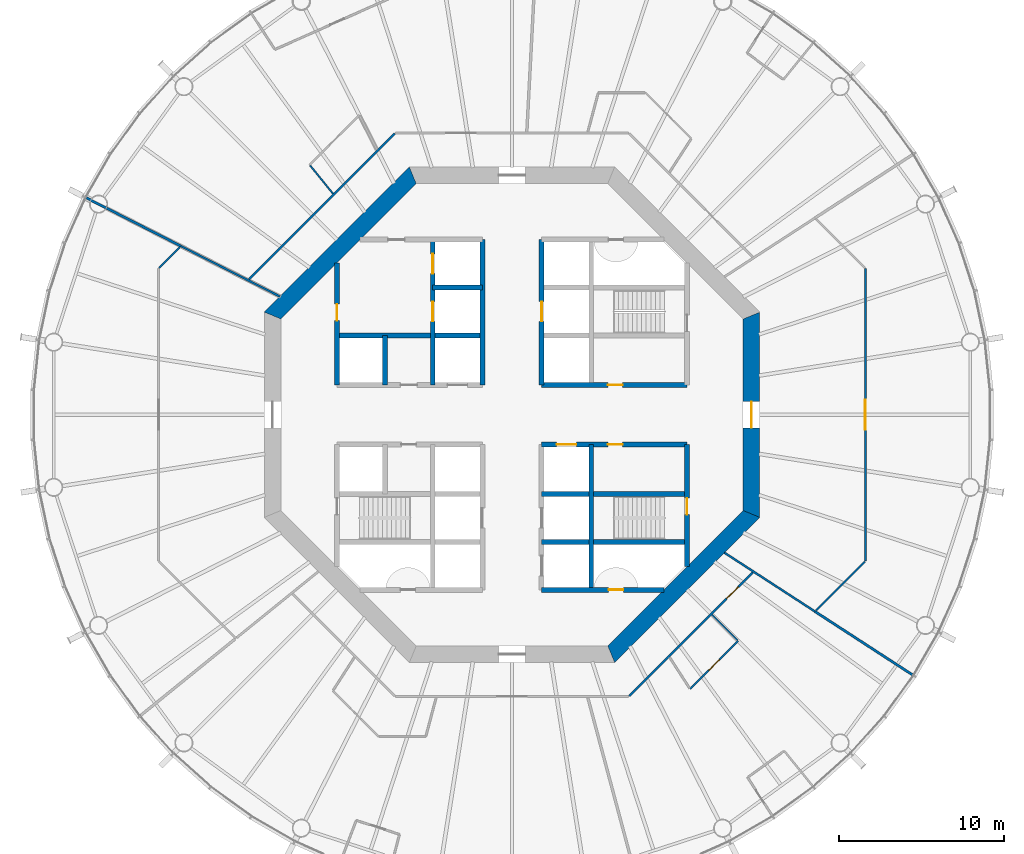
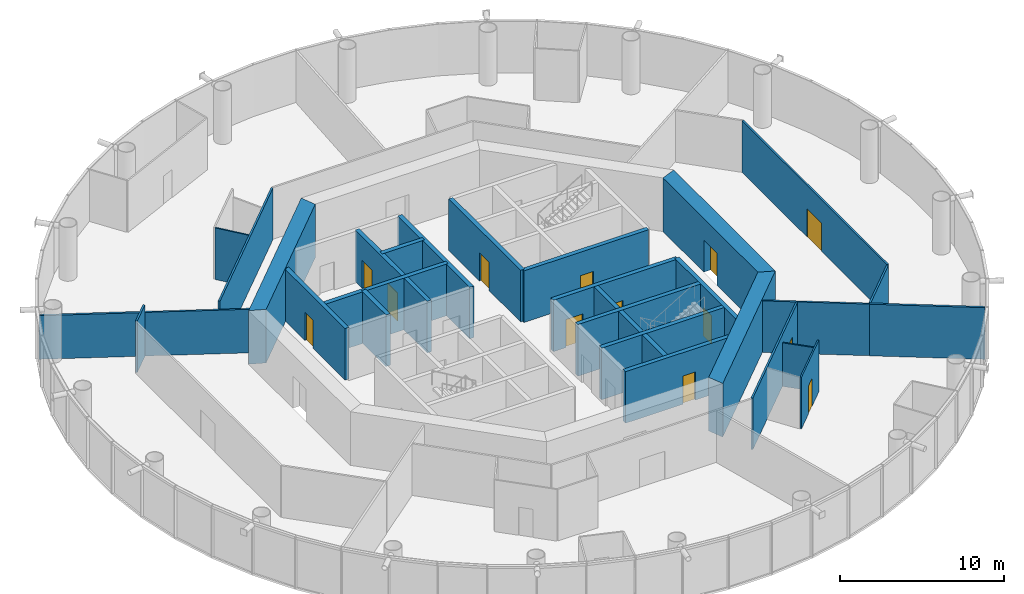
# One storey, part 4 of 17: 29 walls, 13 doors, 13 openings.
"""IFC4 building model written with IfcOpenShell, lengths in metres."""

from ifc_helpers import new_model, si_unit, direction, frame, frame_2d, origin, place, context, subcontext, project, spatial, polyline, rectangle, outline, extrude, material, layer, layer_set, type_object, element, fill, save


model = new_model("IFC4")

# Units and contexts
model_context = context("Model", 3, precision=1e-05, world=origin(), true_north=direction((0.0, 1.0)))
body_context = subcontext(model_context, "Body", "Model", "MODEL_VIEW")
ifc_project = project(units=[si_unit("LENGTHUNIT", "METRE"), si_unit("AREAUNIT", "SQUARE_METRE"), si_unit("VOLUMEUNIT", "CUBIC_METRE"), si_unit("PLANEANGLEUNIT", "RADIAN"), si_unit("MASSUNIT", "GRAM", prefix="KILO")], contexts=[model_context])

# Site, building, storey
site_placement = place(None, origin())
site = spatial("IfcSite", under=ifc_project, at=site_placement, CompositionType="ELEMENT")
building_placement = place(site_placement, origin())
building = spatial("IfcBuilding", under=site, at=building_placement, Name="Entoto Ring Tower", CompositionType="ELEMENT")
storey_placement = place(building_placement, frame((0.0, 0.0, 176.0)))
storey = spatial("IfcBuildingStorey", under=building, at=storey_placement, Name="L40", CompositionType="ELEMENT", Elevation=176.0)

# Wall, opening, door
ifc_material_1 = material(Name="Concrete C40/50", Category="concrete")
ifc_layer_1 = layer(ifc_material_1, 0.300048828125)
ifc_layer_set_1 = layer_set([ifc_layer_1], Name="Concrete C40/50")
wall_type_1 = type_object("IfcWallType", Name="Core enclosure wall 300 mm reinforced concrete", PredefinedType="SOLIDWALL", material=ifc_layer_set_1)
wall_1_placement = place(storey_placement, frame((100.60009765625, 70.801025390625, 0.0), z_axis=(0.0, 0.0, 1.0), x_axis=(0.0, 1.0, 0.0)))
wall_1 = element("IfcWall", 1, at=wall_1_placement, inside=storey, type_object=wall_type_1, Name="wall-L40-001", PredefinedType="SOLIDWALL", context=body_context, shape_type="SweptSolid", body=[
    extrude(rectangle(XDim=7.39892578125, YDim=0.300048828125, at=frame_2d((3.699462890625, 0.0))), origin(), (0.0, 0.0, 1.0), 3.85009765625),
])
opening_1_placement = place(wall_1_placement, frame((3.14892578125, 0.0, 0.0)))
opening_1 = element("IfcOpeningElement", 2, at=opening_1_placement, cuts=wall_1, Name="Opening K-17", PredefinedType="OPENING", context=body_context, shape_type="SweptSolid", body=[
    extrude(rectangle(XDim=1.0, YDim=2.10009765625, at=frame_2d((0.5, 1.050048828125))), frame((0.0, 0.16015625, 0.0), z_axis=(0.0, -1.0, 0.0), x_axis=(1.0, 0.0, 0.0)), (0.0, 0.0, 1.0), 0.320068359375),
])
ifc_material_2 = material(Name="Steel door leaf, fire rated", Category="steel")
ifc_layer_2 = layer(ifc_material_2, 0.050048828125)
ifc_layer_set_2 = layer_set([ifc_layer_2], Name="Steel door leaf, fire rated")
door_type_1 = type_object("IfcDoorType", Name="Fire door FD60 1000 x 2100 single leaf", OperationType="NOTDEFINED", PredefinedType="DOOR", material=ifc_layer_set_2)
door_1_placement = place(opening_1_placement, origin())
door_1 = element("IfcDoor", 3, at=door_1_placement, inside=storey, type_object=door_type_1, Name="Door K-17", OperationType="SINGLE_SWING_RIGHT", OverallHeight=2.10009765625, OverallWidth=1.0, PredefinedType="DOOR", context=body_context, shape_type="SweptSolid", body=[
    extrude(rectangle(XDim=1.0, YDim=2.10009765625, at=frame_2d((0.5, 1.050048828125))), frame((0.0, 0.02490234375, 0.0), z_axis=(0.0, -1.0, 0.0), x_axis=(1.0, 0.0, 0.0)), (0.0, 0.0, 1.0), 0.050048828125),
])
fill(opening_1, door_1)

# Wall
wall_2_placement = place(storey_placement, frame((94.800048828125, 69.39990234375, 0.0), z_axis=(0.0, 0.0, 1.0), x_axis=(0.0, 1.0, 0.0)))
element("IfcWall", 4, at=wall_2_placement, inside=storey, type_object=wall_type_1, Name="wall-L40-003", PredefinedType="SOLIDWALL", context=body_context, shape_type="SweptSolid", body=[
    extrude(rectangle(XDim=8.800048828125, YDim=0.300048828125, at=frame_2d((4.39990234375, 0.0))), origin(), (0.0, 0.0, 1.0), 3.85009765625),
])

# Wall, opening, door
wall_3_placement = place(storey_placement, frame((91.800048828125, 81.800048828125, 0.0), z_axis=(0.0, 0.0, 1.0), x_axis=(0.0, 1.0, 0.0)))
wall_3 = element("IfcWall", 5, at=wall_3_placement, inside=storey, type_object=wall_type_1, Name="wall-L40-006", PredefinedType="SOLIDWALL", context=body_context, shape_type="SweptSolid", body=[
    extrude(rectangle(XDim=8.800048828125, YDim=0.300048828125, at=frame_2d((4.39990234375, 0.0))), origin(), (0.0, 0.0, 1.0), 3.85009765625),
])
opening_2_placement = place(wall_3_placement, frame((3.85009765625, 0.0, 0.0)))
opening_2 = element("IfcOpeningElement", 6, at=opening_2_placement, cuts=wall_3, Name="Opening LD", PredefinedType="OPENING", context=body_context, shape_type="SweptSolid", body=[
    extrude(rectangle(XDim=1.199951171875, YDim=2.10009765625, at=frame_2d((0.60009765625, 1.050048828125))), frame((0.0, 0.16015625, 0.0), z_axis=(0.0, -1.0, 0.0), x_axis=(1.0, 0.0, 0.0)), (0.0, 0.0, 1.0), 0.320068359375),
])
ifc_material_3 = material(Name="Steel and glass door leaf", Category="steel")
ifc_layer_3 = layer(ifc_material_3, 0.050048828125)
ifc_layer_set_3 = layer_set([ifc_layer_3], Name="Steel and glass door leaf")
door_type_2 = type_object("IfcDoorType", Name="Landing door 1200 x 2100 sliding", OperationType="DOUBLE_DOOR_SLIDING", PredefinedType="DOOR", material=ifc_layer_set_3)
door_2_placement = place(opening_2_placement, origin())
door_2 = element("IfcDoor", 7, at=door_2_placement, inside=storey, type_object=door_type_2, Name="Landing door LB1-MR", OperationType="SLIDING_TO_RIGHT", OverallHeight=2.10009765625, OverallWidth=1.199951171875, PredefinedType="DOOR", context=body_context, shape_type="SweptSolid", body=[
    extrude(rectangle(XDim=1.199951171875, YDim=2.10009765625, at=frame_2d((0.60009765625, 1.050048828125))), frame((0.0, 0.02490234375, 0.0), z_axis=(0.0, -1.0, 0.0), x_axis=(1.0, 0.0, 0.0)), (0.0, 0.0, 1.0), 0.050048828125),
])
fill(opening_2, door_2)

# Wall
wall_4_placement = place(storey_placement, frame((88.199951171875, 81.800048828125, 0.0), z_axis=(0.0, 0.0, 1.0), x_axis=(0.0, 1.0, 0.0)))
element("IfcWall", 8, at=wall_4_placement, inside=storey, type_object=wall_type_1, Name="wall-L40-008", PredefinedType="SOLIDWALL", context=body_context, shape_type="SweptSolid", body=[
    extrude(rectangle(XDim=8.800048828125, YDim=0.300048828125, at=frame_2d((4.39990234375, 0.0))), origin(), (0.0, 0.0, 1.0), 3.85009765625),
])

# Wall, openings, doors
wall_5_placement = place(storey_placement, frame((85.199951171875, 81.800048828125, 0.0), z_axis=(0.0, 0.0, 1.0), x_axis=(0.0, 1.0, 0.0)))
wall_5 = element("IfcWall", 9, at=wall_5_placement, inside=storey, type_object=wall_type_1, Name="wall-L40-010", PredefinedType="SOLIDWALL", context=body_context, shape_type="SweptSolid", body=[
    extrude(rectangle(XDim=8.800048828125, YDim=0.300048828125, at=frame_2d((4.39990234375, 0.0))), origin(), (0.0, 0.0, 1.0), 3.85009765625),
])
opening_3_placement = place(wall_5_placement, frame((3.85009765625, 0.0, 0.0)))
opening_3 = element("IfcOpeningElement", 10, at=opening_3_placement, cuts=wall_5, Name="Opening LD", PredefinedType="OPENING", context=body_context, shape_type="SweptSolid", body=[
    extrude(rectangle(XDim=1.199951171875, YDim=2.10009765625, at=frame_2d((0.60009765625, 1.050048828125))), frame((0.0, 0.16015625, 0.0), z_axis=(0.0, -1.0, 0.0), x_axis=(1.0, 0.0, 0.0)), (0.0, 0.0, 1.0), 0.320068359375),
])
opening_4_placement = place(wall_5_placement, frame((6.75, 0.0, 0.0)))
opening_4 = element("IfcOpeningElement", 11, at=opening_4_placement, cuts=wall_5, Name="Opening LD", PredefinedType="OPENING", context=body_context, shape_type="SweptSolid", body=[
    extrude(rectangle(XDim=1.199951171875, YDim=2.10009765625, at=frame_2d((0.60009765625, 1.050048828125))), frame((0.0, 0.16015625, 0.0), z_axis=(0.0, -1.0, 0.0), x_axis=(1.0, 0.0, 0.0)), (0.0, 0.0, 1.0), 0.320068359375),
])
door_3_placement = place(opening_3_placement, origin())
door_3 = element("IfcDoor", 12, at=door_3_placement, inside=storey, type_object=door_type_2, Name="Landing door FF1", OperationType="SLIDING_TO_RIGHT", OverallHeight=2.10009765625, OverallWidth=1.199951171875, PredefinedType="DOOR", context=body_context, shape_type="SweptSolid", body=[
    extrude(rectangle(XDim=1.199951171875, YDim=2.10009765625, at=frame_2d((0.60009765625, 1.050048828125))), frame((0.0, 0.02490234375, 0.0), z_axis=(0.0, -1.0, 0.0), x_axis=(1.0, 0.0, 0.0)), (0.0, 0.0, 1.0), 0.050048828125),
])
fill(opening_3, door_3)
door_4_placement = place(opening_4_placement, origin())
door_4 = element("IfcDoor", 13, at=door_4_placement, inside=storey, type_object=door_type_2, Name="Landing door FF2", OperationType="SLIDING_TO_RIGHT", OverallHeight=2.10009765625, OverallWidth=1.199951171875, PredefinedType="DOOR", context=body_context, shape_type="SweptSolid", body=[
    extrude(rectangle(XDim=1.199951171875, YDim=2.10009765625, at=frame_2d((0.60009765625, 1.050048828125))), frame((0.0, 0.02490234375, 0.0), z_axis=(0.0, -1.0, 0.0), x_axis=(1.0, 0.0, 0.0)), (0.0, 0.0, 1.0), 0.050048828125),
])
fill(opening_4, door_4)

# Wall
wall_6_placement = place(storey_placement, frame((82.300048828125, 81.800048828125, 0.0), z_axis=(0.0, 0.0, 1.0), x_axis=(0.0, 1.0, 0.0)))
element("IfcWall", 14, at=wall_6_placement, inside=storey, type_object=wall_type_1, Name="wall-L40-012", PredefinedType="SOLIDWALL", context=body_context, shape_type="SweptSolid", body=[
    extrude(rectangle(XDim=3.0, YDim=0.300048828125, at=frame_2d((1.5, 0.0))), origin(), (0.0, 0.0, 1.0), 3.85009765625),
])

# Wall, opening, door
wall_7_placement = place(storey_placement, frame((79.39990234375, 81.800048828125, 0.0), z_axis=(0.0, 0.0, 1.0), x_axis=(0.0, 1.0, 0.0)))
wall_7 = element("IfcWall", 15, at=wall_7_placement, inside=storey, type_object=wall_type_1, Name="wall-L40-014", PredefinedType="SOLIDWALL", context=body_context, shape_type="SweptSolid", body=[
    extrude(rectangle(XDim=7.39892578125, YDim=0.300048828125, at=frame_2d((3.699462890625, 0.0))), origin(), (0.0, 0.0, 1.0), 3.85009765625),
])
opening_5_placement = place(wall_7_placement, frame((3.89990234375, 0.0, 0.0)))
opening_5 = element("IfcOpeningElement", 16, at=opening_5_placement, cuts=wall_7, Name="Opening K-67", PredefinedType="OPENING", context=body_context, shape_type="SweptSolid", body=[
    extrude(rectangle(XDim=1.0, YDim=2.10009765625, at=frame_2d((0.5, 1.050048828125))), frame((0.0, 0.16015625, 0.0), z_axis=(0.0, -1.0, 0.0), x_axis=(1.0, 0.0, 0.0)), (0.0, 0.0, 1.0), 0.320068359375),
])
door_5_placement = place(opening_5_placement, frame((1.0, 0.0, 0.0), z_axis=(0.0, 0.0, 1.0), x_axis=(-1.0, 0.0, 0.0)))
door_5 = element("IfcDoor", 17, at=door_5_placement, inside=storey, type_object=door_type_1, Name="Door K-67", OperationType="SINGLE_SWING_RIGHT", OverallHeight=2.10009765625, OverallWidth=1.0, PredefinedType="DOOR", context=body_context, shape_type="SweptSolid", body=[
    extrude(rectangle(XDim=1.0, YDim=2.10009765625, at=frame_2d((0.5, 1.050048828125))), frame((0.0, 0.02490234375, 0.0), z_axis=(0.0, -1.0, 0.0), x_axis=(1.0, 0.0, 0.0)), (0.0, 0.0, 1.0), 0.050048828125),
])
fill(opening_5, door_5)

wall_8_placement = place(storey_placement, frame((91.800048828125, 69.39990234375, 0.0), z_axis=(0.0, 0.0, 1.0), x_axis=(1.0, 0.0, 0.0)))
wall_8 = element("IfcWall", 18, at=wall_8_placement, inside=storey, type_object=wall_type_1, Name="wall-L40-016", PredefinedType="SOLIDWALL", context=body_context, shape_type="SweptSolid", body=[
    extrude(rectangle(XDim=7.39892578125, YDim=0.300048828125, at=frame_2d((3.699462890625, 0.0))), origin(), (0.0, 0.0, 1.0), 3.85009765625),
])
opening_6_placement = place(wall_8_placement, frame((4.050048828125, 0.0, 0.0)))
opening_6 = element("IfcOpeningElement", 19, at=opening_6_placement, cuts=wall_8, Name="Opening K-20", PredefinedType="OPENING", context=body_context, shape_type="SweptSolid", body=[
    extrude(rectangle(XDim=0.89990234375, YDim=2.10009765625, at=frame_2d((0.449951171875, 1.050048828125))), frame((0.0, 0.16015625, 0.0), z_axis=(0.0, -1.0, 0.0), x_axis=(1.0, 0.0, 0.0)), (0.0, 0.0, 1.0), 0.320068359375),
])
ifc_material_4 = material(Name="Steel door leaf, fire rated", Category="steel")
ifc_layer_4 = layer(ifc_material_4, 0.050048828125)
ifc_layer_set_4 = layer_set([ifc_layer_4], Name="Steel door leaf, fire rated")
door_type_3 = type_object("IfcDoorType", Name="Riser door FD60 900 x 2100 single leaf", OperationType="NOTDEFINED", PredefinedType="DOOR", material=ifc_layer_set_4)
door_6_placement = place(opening_6_placement, origin())
door_6 = element("IfcDoor", 20, at=door_6_placement, inside=storey, type_object=door_type_3, Name="Door K-20", OperationType="SINGLE_SWING_LEFT", OverallHeight=2.10009765625, OverallWidth=0.89990234375, PredefinedType="DOOR", context=body_context, shape_type="SweptSolid", body=[
    extrude(rectangle(XDim=0.89990234375, YDim=2.10009765625, at=frame_2d((0.449951171875, 1.050048828125))), frame((0.0, 0.02490234375, 0.0), z_axis=(0.0, -1.0, 0.0), x_axis=(1.0, 0.0, 0.0)), (0.0, 0.0, 1.0), 0.050048828125),
])
fill(opening_6, door_6)

# Walls
for number, where, z_axis, x_axis, name in (
    (21, (91.800048828125, 72.300048828125, 0.0), (0.0, 0.0, 1.0), (1.0, 0.0, 0.0), "wall-L40-018"),
    (22, (91.800048828125, 75.199951171875, 0.0), (0.0, 0.0, 1.0), (1.0, 0.0, 0.0), "wall-L40-020"),
):
    element("IfcWall", number, at=place(storey_placement, frame(where, z_axis=z_axis, x_axis=x_axis)), inside=storey, type_object=wall_type_1, Name=name, PredefinedType="SOLIDWALL", context=body_context, shape_type="SweptSolid", body=[
        extrude(rectangle(XDim=8.800048828125, YDim=0.300048828125, at=frame_2d((4.39990234375, 0.0))), origin(), (0.0, 0.0, 1.0), 3.85009765625),
    ])

# Wall, openings, doors
wall_9_placement = place(storey_placement, frame((91.800048828125, 78.199951171875, 0.0), z_axis=(0.0, 0.0, 1.0), x_axis=(1.0, 0.0, 0.0)))
wall_9 = element("IfcWall", 23, at=wall_9_placement, inside=storey, type_object=wall_type_1, Name="wall-L40-022", PredefinedType="SOLIDWALL", context=body_context, shape_type="SweptSolid", body=[
    extrude(rectangle(XDim=8.800048828125, YDim=0.300048828125, at=frame_2d((4.39990234375, 0.0))), origin(), (0.0, 0.0, 1.0), 3.85009765625),
])
opening_7_placement = place(wall_9_placement, frame((0.89990234375, 0.0, 0.0)))
opening_7 = element("IfcOpeningElement", 24, at=opening_7_placement, cuts=wall_9, Name="Opening LD", PredefinedType="OPENING", context=body_context, shape_type="SweptSolid", body=[
    extrude(rectangle(XDim=1.199951171875, YDim=2.10009765625, at=frame_2d((0.60009765625, 1.050048828125))), frame((0.0, 0.16015625, 0.0), z_axis=(0.0, -1.0, 0.0), x_axis=(1.0, 0.0, 0.0)), (0.0, 0.0, 1.0), 0.320068359375),
])
opening_8_placement = place(wall_9_placement, frame((4.0, 0.0, 0.0)))
opening_8 = element("IfcOpeningElement", 25, at=opening_8_placement, cuts=wall_9, Name="Opening K-12", PredefinedType="OPENING", context=body_context, shape_type="SweptSolid", body=[
    extrude(rectangle(XDim=0.89990234375, YDim=2.10009765625, at=frame_2d((0.449951171875, 1.050048828125))), frame((0.0, 0.16015625, 0.0), z_axis=(0.0, -1.0, 0.0), x_axis=(1.0, 0.0, 0.0)), (0.0, 0.0, 1.0), 0.320068359375),
])
ifc_material_5 = material(Name="Steel door leaf, fire rated", Category="steel")
ifc_layer_5 = layer(ifc_material_5, 0.050048828125)
ifc_layer_set_5 = layer_set([ifc_layer_5], Name="Steel door leaf, fire rated")
door_type_4 = type_object("IfcDoorType", Name="Core door 900 x 2100 single leaf", OperationType="NOTDEFINED", PredefinedType="DOOR", material=ifc_layer_set_5)
door_7_placement = place(opening_8_placement, frame((0.89990234375, 0.0, 0.0), z_axis=(0.0, 0.0, 1.0), x_axis=(-1.0, 0.0, 0.0)))
door_7 = element("IfcDoor", 26, at=door_7_placement, inside=storey, type_object=door_type_4, Name="Door K-12", OperationType="SINGLE_SWING_RIGHT", OverallHeight=2.10009765625, OverallWidth=0.89990234375, PredefinedType="DOOR", context=body_context, shape_type="SweptSolid", body=[
    extrude(rectangle(XDim=0.89990234375, YDim=2.10009765625, at=frame_2d((0.449951171875, 1.050048828125))), frame((0.0, 0.02490234375, 0.0), z_axis=(0.0, -1.0, 0.0), x_axis=(1.0, 0.0, 0.0)), (0.0, 0.0, 1.0), 0.050048828125),
])
fill(opening_8, door_7)
door_8_placement = place(opening_7_placement, origin())
door_8 = element("IfcDoor", 27, at=door_8_placement, inside=storey, type_object=door_type_2, Name="Landing door LB6-MR", OperationType="SLIDING_TO_LEFT", OverallHeight=2.10009765625, OverallWidth=1.199951171875, PredefinedType="DOOR", context=body_context, shape_type="SweptSolid", body=[
    extrude(rectangle(XDim=1.199951171875, YDim=2.10009765625, at=frame_2d((0.60009765625, 1.050048828125))), frame((0.0, 0.02490234375, 0.0), z_axis=(0.0, -1.0, 0.0), x_axis=(1.0, 0.0, 0.0)), (0.0, 0.0, 1.0), 0.050048828125),
])
fill(opening_7, door_8)

# Wall, opening, door
wall_10_placement = place(storey_placement, frame((91.800048828125, 81.800048828125, 0.0), z_axis=(0.0, 0.0, 1.0), x_axis=(1.0, 0.0, 0.0)))
wall_10 = element("IfcWall", 28, at=wall_10_placement, inside=storey, type_object=wall_type_1, Name="wall-L40-024", PredefinedType="SOLIDWALL", context=body_context, shape_type="SweptSolid", body=[
    extrude(rectangle(XDim=8.800048828125, YDim=0.300048828125, at=frame_2d((4.39990234375, 0.0))), origin(), (0.0, 0.0, 1.0), 3.85009765625),
])
opening_9_placement = place(wall_10_placement, frame((4.0, 0.0, 0.0)))
opening_9 = element("IfcOpeningElement", 29, at=opening_9_placement, cuts=wall_10, Name="Opening K-11", PredefinedType="OPENING", context=body_context, shape_type="SweptSolid", body=[
    extrude(rectangle(XDim=0.89990234375, YDim=2.10009765625, at=frame_2d((0.449951171875, 1.050048828125))), frame((0.0, 0.16015625, 0.0), z_axis=(0.0, -1.0, 0.0), x_axis=(1.0, 0.0, 0.0)), (0.0, 0.0, 1.0), 0.320068359375),
])
door_9_placement = place(opening_9_placement, origin())
door_9 = element("IfcDoor", 30, at=door_9_placement, inside=storey, type_object=door_type_4, Name="Door K-11", OperationType="SINGLE_SWING_LEFT", OverallHeight=2.10009765625, OverallWidth=0.89990234375, PredefinedType="DOOR", context=body_context, shape_type="SweptSolid", body=[
    extrude(rectangle(XDim=0.89990234375, YDim=2.10009765625, at=frame_2d((0.449951171875, 1.050048828125))), frame((0.0, 0.02490234375, 0.0), z_axis=(0.0, -1.0, 0.0), x_axis=(1.0, 0.0, 0.0)), (0.0, 0.0, 1.0), 0.050048828125),
])
fill(opening_9, door_9)

# Walls
wall_11_placement = place(storey_placement, frame((79.39990234375, 84.800048828125, 0.0), z_axis=(0.0, 0.0, 1.0), x_axis=(1.0, 0.0, 0.0)))
element("IfcWall", 31, at=wall_11_placement, inside=storey, type_object=wall_type_1, Name="wall-L40-025", PredefinedType="SOLIDWALL", context=body_context, shape_type="SweptSolid", body=[
    extrude(rectangle(XDim=8.800048828125, YDim=0.300048828125, at=frame_2d((4.39990234375, 0.0))), origin(), (0.0, 0.0, 1.0), 3.85009765625),
])
wall_12_placement = place(storey_placement, frame((85.199951171875, 87.699951171875, 0.0), z_axis=(0.0, 0.0, 1.0), x_axis=(1.0, 0.0, 0.0)))
element("IfcWall", 32, at=wall_12_placement, inside=storey, type_object=wall_type_1, Name="wall-L40-027", PredefinedType="SOLIDWALL", context=body_context, shape_type="SweptSolid", body=[
    extrude(rectangle(XDim=3.0, YDim=0.300048828125, at=frame_2d((1.5, 0.0))), origin(), (0.0, 0.0, 1.0), 3.85009765625),
])

# Wall, opening, door
ifc_material_6 = material(Name="Concrete C50/60", Category="concrete")
ifc_layer_6 = layer(ifc_material_6, 1.0)
ifc_layer_set_6 = layer_set([ifc_layer_6], Name="Concrete C50/60")
wall_type_2 = type_object("IfcWallType", Name="Core shear wall 1000 mm reinforced concrete C50/60", PredefinedType="SHEAR", material=ifc_layer_set_6)
wall_13_placement = place(storey_placement, frame((104.5, 73.993896484375, 0.0), z_axis=(0.0, 0.0, 1.0), x_axis=(0.0, 1.0, 0.0)))
wall_13 = element("IfcWall", 33, at=wall_13_placement, inside=storey, type_object=wall_type_2, Name="wall-L40-core-0", PredefinedType="SHEAR", context=body_context, shape_type="SweptSolid", body=[
    extrude(outline(polyline([(-0.20703125, -0.5), (12.21923828125, -0.5), (11.80517578125, 0.5), (0.20703125, 0.5), (-0.20703125, -0.5)])), origin(), (0.0, 0.0, 1.0), 4.0),
])
opening_10_placement = place(wall_13_placement, frame((5.2060546875, 0.0, 0.0)))
opening_10 = element("IfcOpeningElement", 34, at=opening_10_placement, cuts=wall_13, Name="Opening K-01", PredefinedType="OPENING", context=body_context, shape_type="SweptSolid", body=[
    extrude(rectangle(XDim=1.60009765625, YDim=2.39990234375, at=frame_2d((0.800048828125, 1.199951171875))), frame((0.0, 0.510009765625, 0.0), z_axis=(0.0, -1.0, 0.0), x_axis=(1.0, 0.0, 0.0)), (0.0, 0.0, 1.0), 1.02001953125),
])
ifc_material_7 = material(Name="Steel door leaf, fire rated", Category="steel")
ifc_layer_7 = layer(ifc_material_7, 0.050048828125)
ifc_layer_set_7 = layer_set([ifc_layer_7], Name="Steel door leaf, fire rated")
door_type_5 = type_object("IfcDoorType", Name="Entrance door FD60 1600 x 2400 double leaf", OperationType="DOUBLE_DOOR_SINGLE_SWING", PredefinedType="DOOR", material=ifc_layer_set_7)
door_10_placement = place(opening_10_placement, origin())
door_10 = element("IfcDoor", 35, at=door_10_placement, inside=storey, type_object=door_type_5, Name="Entrance door K-01", OperationType="DOUBLE_DOOR_SINGLE_SWING", OverallHeight=2.39990234375, OverallWidth=1.60009765625, PredefinedType="DOOR", context=body_context, shape_type="SweptSolid", body=[
    extrude(rectangle(XDim=1.60009765625, YDim=2.39990234375, at=frame_2d((0.800048828125, 1.199951171875))), frame((0.0, 0.02490234375, 0.0), z_axis=(0.0, -1.0, 0.0), x_axis=(1.0, 0.0, 0.0)), (0.0, 0.0, 1.0), 0.050048828125),
])
fill(opening_10, door_10)

# Walls
for number, where, z_axis, x_axis, name in (
    (36, (83.993896484375, 94.5, 0.0), (0.0, 0.0, 1.0), (-0.707106781187, -0.707106781187, 0.0), "wall-L40-core-3"),
    (37, (96.006103515625, 65.5, 0.0), (0.0, 0.0, 1.0), (0.707106781187, 0.707106781187, 0.0), "wall-L40-core-7"),
):
    element("IfcWall", number, at=place(storey_placement, frame(where, z_axis=z_axis, x_axis=x_axis)), inside=storey, type_object=wall_type_2, Name=name, PredefinedType="SHEAR", context=body_context, shape_type="SweptSolid", body=[
        extrude(outline(polyline([(-0.20703125, -0.5), (12.21923828125, -0.5), (11.80517578125, 0.5), (0.20703125, 0.5), (-0.20703125, -0.5)])), origin(), (0.0, 0.0, 1.0), 4.0),
    ])

# Wall, opening, door
ifc_material_8 = material(Name="Fire-resisting plasterboard on steel studs", Category="steel")
ifc_layer_8 = layer(ifc_material_8, 0.125)
ifc_layer_set_8 = layer_set([ifc_layer_8], Name="Fire-resisting plasterboard on steel studs")
wall_type_3 = type_object("IfcWallType", Name="Corridor wall 125 mm one-hour plasterboard on steel studs", PredefinedType="PARTITIONING", material=ifc_layer_set_8)
wall_14_placement = place(storey_placement, frame((111.39990234375, 71.1357421875, 0.0), z_axis=(0.0, 0.0, 1.0), x_axis=(0.0, 1.0, 0.0)))
wall_14 = element("IfcWall", 38, at=wall_14_placement, inside=storey, type_object=wall_type_3, Name="partition-L40-002", PredefinedType="PARTITIONING", context=body_context, shape_type="SweptSolid", body=[
    extrude(rectangle(XDim=17.728515625, YDim=0.125, at=frame_2d((8.8642578125, 0.0))), origin(), (0.0, 0.0, 1.0), 3.85009765625),
])
opening_11_placement = place(wall_14_placement, frame((7.964111328125, 0.0, 0.0)))
opening_11 = element("IfcOpeningElement", 39, at=opening_11_placement, cuts=wall_14, Name="Opening A17-D01", PredefinedType="OPENING", context=body_context, shape_type="SweptSolid", body=[
    extrude(rectangle(XDim=1.800048828125, YDim=2.10009765625, at=frame_2d((0.89990234375, 1.050048828125))), frame((0.0, 0.072509765625, 0.0), z_axis=(0.0, -1.0, 0.0), x_axis=(1.0, 0.0, 0.0)), (0.0, 0.0, 1.0), 0.14501953125),
])
ifc_material_9 = material(Name="Fire-resisting timber door set", Category="wood")
door_type_6 = type_object("IfcDoorType", Name="Door 1800 x 2100 double leaf FD30S fire door", OperationType="DOUBLE_DOOR_SINGLE_SWING", PredefinedType="DOOR", material=ifc_material_9)
door_11_placement = place(opening_11_placement, frame((1.800048828125, 0.0, 0.0), z_axis=(0.0, 0.0, 1.0), x_axis=(-1.0, 0.0, 0.0)))
door_11 = element("IfcDoor", 40, at=door_11_placement, inside=storey, type_object=door_type_6, Name="Door A17-D01", OperationType="DOUBLE_DOOR_SINGLE_SWING", OverallHeight=2.10009765625, OverallWidth=1.800048828125, PredefinedType="DOOR", context=body_context, shape_type="SweptSolid", body=[
    extrude(rectangle(XDim=1.800048828125, YDim=2.10009765625, at=frame_2d((0.89990234375, 1.050048828125))), frame((0.0, 0.02490234375, 0.0), z_axis=(0.0, -1.0, 0.0), x_axis=(1.0, 0.0, 0.0)), (0.0, 0.0, 1.0), 0.050048828125),
])
fill(opening_11, door_11)

# Wall
wall_15_placement = place(storey_placement, frame((74.075439453125, 88.20556640625, 0.0), z_axis=(0.0, 0.0, 1.0), x_axis=(0.707106781187, 0.707106781187, 0.0)))
element("IfcWall", 41, at=wall_15_placement, inside=storey, type_object=wall_type_3, Name="partition-L40-005", PredefinedType="PARTITIONING", context=body_context, shape_type="SweptSolid", body=[
    extrude(rectangle(XDim=12.481689453125, YDim=0.125, at=frame_2d((6.24072265625, 0.0))), origin(), (0.0, 0.0, 1.0), 3.85009765625),
])

# Wall, opening, door
wall_16_placement = place(storey_placement, frame((97.0986328125, 62.968505859375, 0.0), z_axis=(0.0, 0.0, 1.0), x_axis=(0.707095235926, 0.707118326258, 0.0)))
wall_16 = element("IfcWall", 42, at=wall_16_placement, inside=storey, type_object=wall_type_3, Name="partition-L40-006", PredefinedType="PARTITIONING", context=body_context, shape_type="SweptSolid", body=[
    extrude(rectangle(XDim=10.5732421875, YDim=0.125, at=frame_2d((5.28662109375, 0.0))), origin(), (0.0, 0.0, 1.0), 3.85009765625),
])
opening_12_placement = place(wall_16_placement, frame((8.3369140625, 0.0, 0.0)))
opening_12 = element("IfcOpeningElement", 43, at=opening_12_placement, cuts=wall_16, Name="Opening A17-D12", PredefinedType="OPENING", context=body_context, shape_type="SweptSolid", body=[
    extrude(rectangle(XDim=1.0, YDim=2.10009765625, at=frame_2d((0.5, 1.050048828125))), frame((0.0, 0.072509765625, 0.0), z_axis=(0.0, -1.0, 0.0), x_axis=(1.0, 0.0, 0.0)), (0.0, 0.0, 1.0), 0.14501953125),
])
ifc_material_10 = material(Name="Fire-resisting timber door set", Category="wood")
door_type_7 = type_object("IfcDoorType", Name="Door 1000 x 2100 single leaf FD30S fire door", OperationType="NOTDEFINED", PredefinedType="DOOR", material=ifc_material_10)
door_12_placement = place(opening_12_placement, frame((1.0, 0.0, 0.0), z_axis=(0.0, 0.0, 1.0), x_axis=(-1.0, 0.0, 0.0)))
door_12 = element("IfcDoor", 44, at=door_12_placement, inside=storey, type_object=door_type_7, Name="Door A17-D12", OperationType="SINGLE_SWING_RIGHT", OverallHeight=2.10009765625, OverallWidth=1.0, PredefinedType="DOOR", context=body_context, shape_type="SweptSolid", body=[
    extrude(rectangle(XDim=1.0, YDim=2.10009765625, at=frame_2d((0.5, 1.050048828125))), frame((0.0, 0.02490234375, 0.0), z_axis=(0.0, -1.0, 0.0), x_axis=(1.0, 0.0, 0.0)), (0.0, 0.0, 1.0), 0.050048828125),
])
fill(opening_12, door_12)

# Walls
wall_17_placement = place(storey_placement, frame((108.348388671875, 68.084228515625, 0.0), z_axis=(0.0, 0.0, 1.0), x_axis=(-0.838654973698, 0.544663047298, 0.0)))
element("IfcWall", 45, at=wall_17_placement, inside=storey, type_object=wall_type_3, Name="partition-L40-012", PredefinedType="PARTITIONING", context=body_context, shape_type="SweptSolid", body=[
    extrude(rectangle(XDim=6.54296875, YDim=0.125, at=frame_2d((3.271484375, 0.0))), origin(), (0.0, 0.0, 1.0), 3.85009765625),
])
wall_18_placement = place(storey_placement, frame((108.412109375, 68.14794921875, 0.0), z_axis=(0.0, 0.0, 1.0), x_axis=(0.707106781187, 0.707106781187, 0.0)))
element("IfcWall", 46, at=wall_18_placement, inside=storey, type_object=wall_type_3, Name="partition-L40-014", PredefinedType="PARTITIONING", context=body_context, shape_type="SweptSolid", body=[
    extrude(rectangle(XDim=4.181640625, YDim=0.125, at=frame_2d((2.0908203125, 0.0))), origin(), (0.0, 0.0, 1.0), 3.85009765625),
])
wall_19_placement = place(storey_placement, frame((68.631103515625, 88.895263671875, 0.0), z_axis=(0.0, 0.0, 1.0), x_axis=(0.707037731162, 0.707175824469, 0.0)))
element("IfcWall", 47, at=wall_19_placement, inside=storey, type_object=wall_type_3, Name="partition-L40-016", PredefinedType="PARTITIONING", context=body_context, shape_type="SweptSolid", body=[
    extrude(rectangle(XDim=1.767822265625, YDim=0.125, at=frame_2d((0.8837890625, 0.0))), origin(), (0.0, 0.0, 1.0), 3.85009765625),
])
ifc_material_11 = material(Name="Fire-resisting plasterboard on steel studs", Category="steel")
ifc_layer_9 = layer(ifc_material_11, 0.125)
ifc_layer_set_9 = layer_set([ifc_layer_9], Name="Fire-resisting plasterboard on steel studs")
wall_type_4 = type_object("IfcWallType", Name="Corridor wall 125 mm one-hour plasterboard on steel studs, 3250 mm high", PredefinedType="PARTITIONING", material=ifc_layer_set_9)
wall_20_placement = place(storey_placement, frame((75.947021484375, 87.160400390625, 0.0), z_axis=(0.0, 0.0, 1.0), x_axis=(-0.891012915606, 0.453977955657, 0.0)))
element("IfcWall", 48, at=wall_20_placement, inside=storey, type_object=wall_type_4, Name="partition-L40-009", PredefinedType="PARTITIONING", context=body_context, shape_type="SweptSolid", body=[
    extrude(rectangle(XDim=6.729248046875, YDim=0.125, at=frame_2d((3.36474609375, 0.0))), origin(), (0.0, 0.0, 1.0), 3.25),
])

# Wall, opening, door
ifc_material_12 = material(Name="Plasterboard on steel studs", Category="steel")
ifc_layer_10 = layer(ifc_material_12, 0.10009765625)
ifc_layer_set_10 = layer_set([ifc_layer_10], Name="Plasterboard on steel studs")
wall_type_5 = type_object("IfcWallType", Name="Partition 100 mm plasterboard on steel studs", PredefinedType="PARTITIONING", material=ifc_layer_set_10)
wall_21_placement = place(storey_placement, frame((100.78662109375, 63.389892578125, 0.0), z_axis=(0.0, 0.0, 1.0), x_axis=(0.707136424919, 0.707077136211, 0.0)))
wall_21 = element("IfcWall", 49, at=wall_21_placement, inside=storey, type_object=wall_type_5, Name="partition-L40-025", PredefinedType="PARTITIONING", context=body_context, shape_type="SweptSolid", body=[
    extrude(rectangle(XDim=4.117919921875, YDim=0.10009765625, at=frame_2d((2.05908203125, 0.0))), origin(), (0.0, 0.0, 1.0), 3.85009765625),
])
opening_13_placement = place(wall_21_placement, frame((1.60888671875, 0.0, 0.0)))
opening_13 = element("IfcOpeningElement", 50, at=opening_13_placement, cuts=wall_21, Name="Opening A17-D13", PredefinedType="OPENING", context=body_context, shape_type="SweptSolid", body=[
    extrude(rectangle(XDim=0.89990234375, YDim=2.10009765625, at=frame_2d((0.449951171875, 1.050048828125))), frame((0.0, 0.06005859375, 0.0), z_axis=(0.0, -1.0, 0.0), x_axis=(1.0, 0.0, 0.0)), (0.0, 0.0, 1.0), 0.1201171875),
])
ifc_material_13 = material(Name="Veneered timber door leaf in timber frame", Category="wood")
door_type_8 = type_object("IfcDoorType", Name="Door 900 x 2100 single leaf timber veneer", OperationType="NOTDEFINED", PredefinedType="DOOR", material=ifc_material_13)
door_13_placement = place(opening_13_placement, origin())
door_13 = element("IfcDoor", 51, at=door_13_placement, inside=storey, type_object=door_type_8, Name="Door A17-D13", OperationType="SINGLE_SWING_LEFT", OverallHeight=2.10009765625, OverallWidth=0.89990234375, PredefinedType="DOOR", context=body_context, shape_type="SweptSolid", body=[
    extrude(rectangle(XDim=0.89990234375, YDim=2.10009765625, at=frame_2d((0.449951171875, 1.050048828125))), frame((0.0, 0.02490234375, 0.0), z_axis=(0.0, -1.0, 0.0), x_axis=(1.0, 0.0, 0.0)), (0.0, 0.0, 1.0), 0.050048828125),
])
fill(opening_13, door_13)

# Walls
wall_22_placement = place(storey_placement, frame((79.16015625, 93.385986328125, 0.0), z_axis=(0.0, 0.0, 1.0), x_axis=(-0.629261932539, 0.777193296585, 0.0)))
element("IfcWall", 52, at=wall_22_placement, inside=storey, type_object=wall_type_5, Name="partition-L40-047", PredefinedType="PARTITIONING", context=body_context, shape_type="SweptSolid", body=[
    extrude(rectangle(XDim=2.204833984375, YDim=0.10009765625, at=frame_2d((1.1025390625, 0.0))), origin(), (0.0, 0.0, 1.0), 3.85009765625),
])
ifc_material_14 = material(Name="Plasterboard on steel studs", Category="steel")
ifc_layer_11 = layer(ifc_material_14, 0.10009765625)
ifc_layer_set_11 = layer_set([ifc_layer_11], Name="Plasterboard on steel studs")
wall_type_6 = type_object("IfcWallType", Name="Partition 100 mm plasterboard on steel studs, 3250 mm high", PredefinedType="PARTITIONING", material=ifc_layer_set_11)
wall_23_placement = place(storey_placement, frame((103.6630859375, 66.3369140625, 0.0), z_axis=(0.0, 0.0, 1.0), x_axis=(-0.707106781187, 0.707106781187, 0.0)))
element("IfcWall", 53, at=wall_23_placement, inside=storey, type_object=wall_type_6, Name="partition-L40-048", PredefinedType="PARTITIONING", context=body_context, shape_type="SweptSolid", body=[
    extrude(rectangle(XDim=2.197265625, YDim=0.10009765625, at=frame_2d((1.0986328125, 0.0))), origin(), (0.0, 0.0, 1.0), 3.25),
])
ifc_material_15 = material(Name="Fire-resisting acoustic plasterboard on steel studs", Category="steel")
ifc_layer_12 = layer(ifc_material_15, 0.14990234375)
ifc_layer_set_12 = layer_set([ifc_layer_12], Name="Fire-resisting acoustic plasterboard on steel studs")
wall_type_7 = type_object("IfcWallType", Name="Party wall 150 mm one-hour acoustic plasterboard on steel studs", PredefinedType="PARTITIONING", material=ifc_layer_set_12)
wall_24_placement = place(storey_placement, frame((114.27099609375, 64.238037109375, 0.0), z_axis=(0.0, 0.0, 1.0), x_axis=(-0.838670233223, 0.544639550443, 0.0)))
element("IfcWall", 54, at=wall_24_placement, inside=storey, type_object=wall_type_7, Name="partition-L40-020", PredefinedType="PARTITIONING", context=body_context, shape_type="SweptSolid", body=[
    extrude(rectangle(XDim=7.06201171875, YDim=0.14990234375, at=frame_2d((3.531005859375, 0.0))), origin(), (0.0, 0.0, 1.0), 3.85009765625),
])
ifc_material_16 = material(Name="Fire-resisting acoustic plasterboard on steel studs", Category="steel")
ifc_layer_13 = layer(ifc_material_16, 0.14990234375)
ifc_layer_set_13 = layer_set([ifc_layer_13], Name="Fire-resisting acoustic plasterboard on steel studs")
wall_type_8 = type_object("IfcWallType", Name="Party wall 150 mm one-hour acoustic plasterboard on steel studs, 3250 mm high", PredefinedType="PARTITIONING", material=ifc_layer_set_13)
wall_25_placement = place(storey_placement, frame((69.951171875, 90.21533203125, 0.0), z_axis=(0.0, 0.0, 1.0), x_axis=(-0.891003901517, 0.453995646985, 0.0)))
element("IfcWall", 55, at=wall_25_placement, inside=storey, type_object=wall_type_8, Name="partition-L40-022", PredefinedType="PARTITIONING", context=body_context, shape_type="SweptSolid", body=[
    extrude(rectangle(XDim=6.4384765625, YDim=0.14990234375, at=frame_2d((3.21923828125, 0.0))), origin(), (0.0, 0.0, 1.0), 3.25),
])

save(model, "model.ifc")
